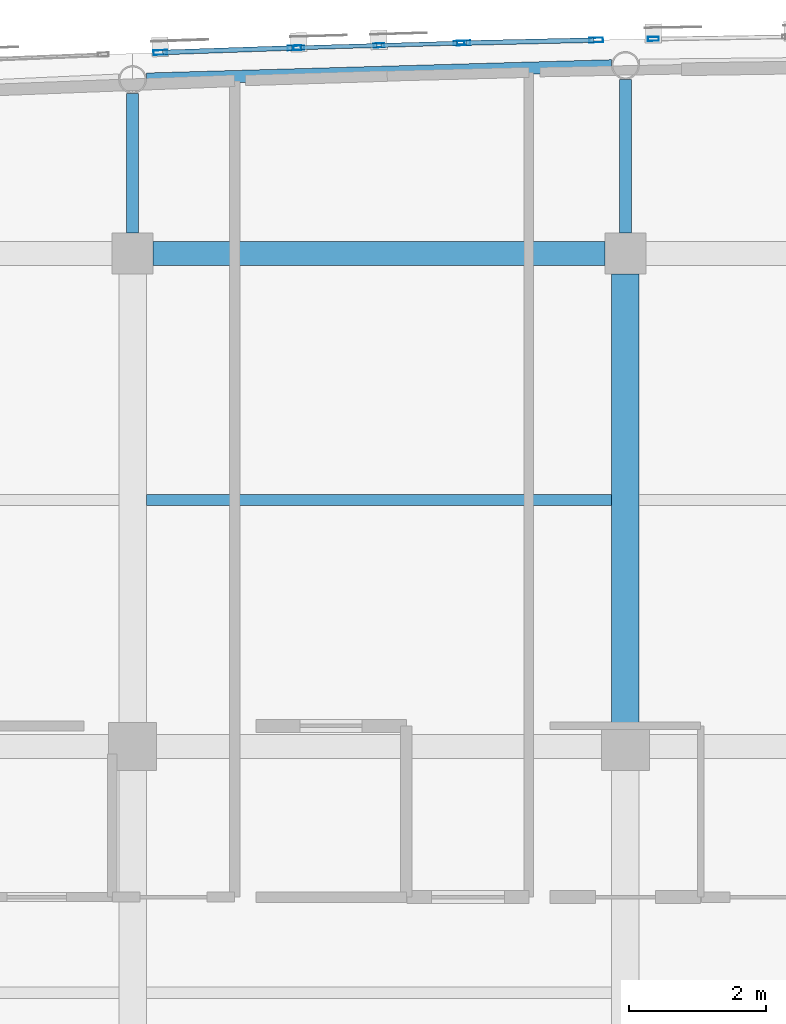
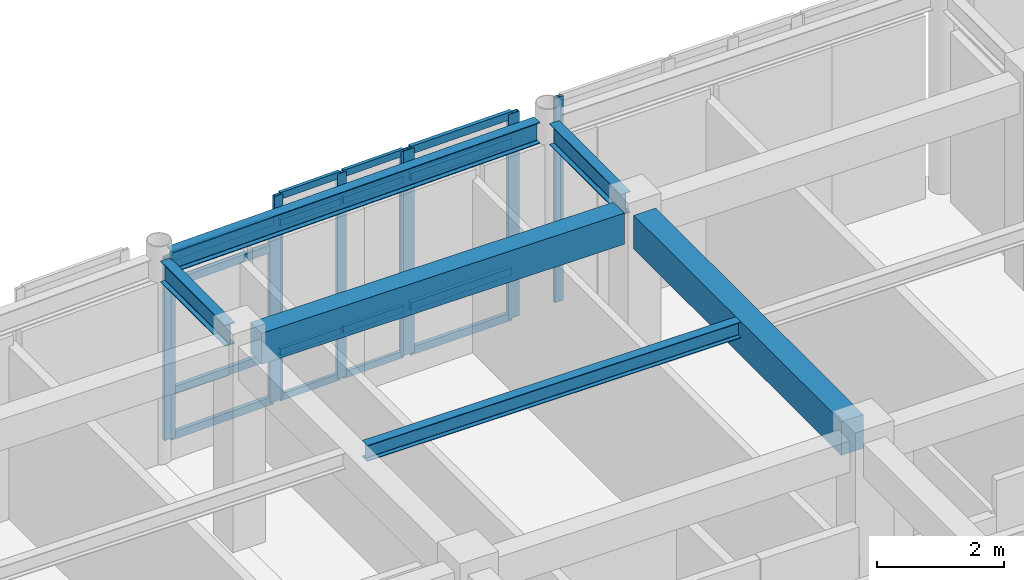
# One storey, part 45 of 113: 24 members, 6 beams, 4 elements without a shape of their own.
"""IFC4 building model written with IfcOpenShell, lengths in metres."""

import ifcopenshell
import ifcopenshell.guid

model = None  # the IFC model being written
_history = None  # IfcOwnerHistory: only IFC2X3 demands one
_inside = {}  # id of a spatial element -> (the spatial element, [elements in it])
_under = {}  # id of a project, library or spatial element -> (it, [spatial elements below it])
_declared = {}  # id of a project -> (the project, [libraries it declares])
_typed = {}  # id of a type object -> (the type object, [elements of that type])
_made_of = {}  # id of a material, layer set ... -> (it, [elements and type objects made of it])


def new_model(schema):
    """Start an empty IFC model of exactly this schema.

    Asked for "IFC4X3", IfcOpenShell would pick the latest addendum, in which some entities
    have other attributes; the version numbers below select the first issue.
    IFC2X3 requires an IfcOwnerHistory on every rooted entity: one is made here for all.
    """
    global model, _history
    if schema == "IFC4X3":
        model = ifcopenshell.file(schema_version=(4, 3, 0, 0))
    else:
        model = ifcopenshell.file(schema=schema)
    _inside.clear()
    _under.clear()
    _declared.clear()
    _typed.clear()
    _made_of.clear()
    _history = None
    if model.schema == "IFC2X3":
        org = make("IfcOrganization", Name="unknown")
        user = make(
            "IfcPersonAndOrganization",
            ThePerson=make("IfcPerson", FamilyName="unknown"),
            TheOrganization=org,
        )
        app = make(
            "IfcApplication",
            ApplicationDeveloper=org,
            Version="unknown",
            ApplicationFullName="unknown",
            ApplicationIdentifier="unknown",
        )
        _history = make(
            "IfcOwnerHistory",
            OwningUser=user,
            OwningApplication=app,
            ChangeAction="ADDED",
            CreationDate=0,
        )
    return model


def make(cls, **values):
    """One entity of the class cls with the attributes given. An attribute that is None is left unset."""
    return model.create_entity(
        cls, **{name: value for name, value in values.items() if value is not None}
    )


def rooted(cls, **values):
    """An entity with a GlobalId (a new one), such as an element, a storey or a relation."""
    return make(cls, GlobalId=ifcopenshell.guid.new(), OwnerHistory=_history, **values)


def si_unit(unit_type, name, prefix=None):
    """IfcSIUnit, for example si_unit("LENGTHUNIT", "METRE", prefix="MILLI")."""
    return make("IfcSIUnit", UnitType=unit_type, Prefix=prefix, Name=name)


def assignment(units):
    """IfcUnitAssignment: the units of a project."""
    return None if units is None else make("IfcUnitAssignment", Units=units)


def point(xyz):
    """IfcCartesianPoint."""
    return None if xyz is None else make("IfcCartesianPoint", Coordinates=xyz)


def direction(xyz):
    """IfcDirection."""
    return None if xyz is None else make("IfcDirection", DirectionRatios=xyz)


def frame(location, z_axis=None, x_axis=None):
    """IfcAxis2Placement3D, a coordinate frame: its origin and axes. An axis left out is left unset."""
    return make(
        "IfcAxis2Placement3D",
        Location=point(location),
        Axis=direction(z_axis),
        RefDirection=direction(x_axis),
    )


def frame_2d(location, x_axis=None):
    """IfcAxis2Placement2D, a coordinate frame in the plane: its origin and x axis."""
    return make(
        "IfcAxis2Placement2D", Location=point(location), RefDirection=direction(x_axis)
    )


def origin():
    """The frame at (0, 0, 0) with its axes left unset."""
    return frame((0.0, 0.0, 0.0))


def origin_2d():
    """The frame at (0, 0) in the plane with its x axis left unset."""
    return frame_2d((0.0, 0.0))


def place(relative_to, where):
    """IfcLocalPlacement: puts the frame where relative to a parent placement (None: the world)."""
    return make(
        "IfcLocalPlacement", PlacementRelTo=relative_to, RelativePlacement=where
    )


def context(
    kind, dimensions, precision=None, world=None, true_north=None, identifier=None
):
    """IfcGeometricRepresentationContext, for example the 3D "Model" context."""
    return make(
        "IfcGeometricRepresentationContext",
        ContextIdentifier=identifier,
        ContextType=kind,
        CoordinateSpaceDimension=dimensions,
        Precision=precision,
        WorldCoordinateSystem=world,
        TrueNorth=true_north,
    )


def subcontext(parent, identifier, kind, view, scale=None):
    """IfcGeometricRepresentationSubContext, for example "Body" below "Model"."""
    return make(
        "IfcGeometricRepresentationSubContext",
        ContextIdentifier=identifier,
        ContextType=kind,
        ParentContext=parent,
        TargetScale=scale,
        TargetView=view,
    )


def project(units=None, contexts=None):
    """IfcProject with its units and contexts."""
    return rooted(
        "IfcProject",
        Name="project",
        RepresentationContexts=contexts,
        UnitsInContext=assignment(units),
    )


def spatial(cls, under=None, at=None, **own):
    """A site, building, storey or space (cls), placed at a placement, below another one or the project."""
    s = rooted(cls, ObjectPlacement=at, **own)
    if under is not None:
        _under.setdefault(under.id(), (under, []))[1].append(s)
    return s


def profile(cls, at=None, kind="AREA", **sizes):
    """A parametric profile (cls). Its sizes go by their IFC names, for example OverallWidth=200.0."""
    return make(cls, ProfileType=kind, Position=at, **sizes)


def rectangle(**sizes):
    """IfcRectangleProfileDef."""
    return profile("IfcRectangleProfileDef", **sizes)


def hollow_rectangle(**sizes):
    """IfcRectangleHollowProfileDef."""
    return profile("IfcRectangleHollowProfileDef", **sizes)


def i_section(**sizes):
    """IfcIShapeProfileDef."""
    return profile("IfcIShapeProfileDef", **sizes)


def extrude(swept, where, along, depth):
    """IfcExtrudedAreaSolid: the profile swept, set in the frame where, extruded along a direction by depth."""
    return make(
        "IfcExtrudedAreaSolid",
        SweptArea=swept,
        Position=where,
        ExtrudedDirection=direction(along),
        Depth=depth,
    )


def shape(context_of_items, identifier, shape_type, items):
    """IfcShapeRepresentation: the items that make up one representation, for example the "Body"."""
    return make(
        "IfcShapeRepresentation",
        ContextOfItems=context_of_items,
        RepresentationIdentifier=identifier,
        RepresentationType=shape_type,
        Items=items,
    )


def material(Name=None, Category=None):
    """IfcMaterial."""
    return make("IfcMaterial", Name=Name, Category=Category)


def layer(
    of_material, thickness, ventilated=None, Name=None, Category=None, Priority=None
):
    """IfcMaterialLayer: one layer of a wall or slab, of a material (None: an air gap)."""
    return make(
        "IfcMaterialLayer",
        Material=of_material,
        LayerThickness=thickness,
        IsVentilated=ventilated,
        Name=Name,
        Category=Category,
        Priority=Priority,
    )


def layer_set(layers, Name=None):
    """IfcMaterialLayerSet."""
    return make("IfcMaterialLayerSet", MaterialLayers=layers, LayerSetName=Name)


def material_profile(
    of_material, cross_section, Name=None, Category=None, Priority=None
):
    """IfcMaterialProfile: a cross section and its material."""
    return make(
        "IfcMaterialProfile",
        Name=Name,
        Material=of_material,
        Profile=cross_section,
        Priority=Priority,
        Category=Category,
    )


def profile_set(profiles, Name=None, composite=None):
    """IfcMaterialProfileSet."""
    return make(
        "IfcMaterialProfileSet",
        Name=Name,
        MaterialProfiles=profiles,
        CompositeProfile=composite,
    )


def made_of(thing, what):
    """Note that an element or type object is made of a material, layer set ...; save() writes the relation."""
    if what is not None:
        _made_of.setdefault(what.id(), (what, []))[1].append(thing)
    return thing


def type_object(cls, material=None, **own):
    """A type object (cls), such as IfcWallType, which elements share."""
    return made_of(rooted(cls, **own), material)


def element(
    cls,
    number,
    at=None,
    inside=None,
    cuts=None,
    type_object=None,
    material=None,
    context=None,
    identifier="Body",
    shape_type=None,
    held_by="IfcProductDefinitionShape",
    body=None,
    shapes=None,
    **own,
):
    """One element of the class cls, such as IfcWall. Its Tag is "e" and its number.

    at: its placement. inside: the storey or other place that contains it. cuts: it is an
    opening in that element (IfcRelVoidsElement). A single representation is given by context,
    identifier, shape_type and body (its items); several are given by shapes. held_by: the class
    of the entity that holds the representations. save() writes the other relations.
    """
    e = rooted(cls, Tag="e%d" % number, ObjectPlacement=at, **own)
    if body is not None:
        shapes = [shape(context, identifier, shape_type, body)]
    if shapes is not None:
        e.Representation = make(held_by, Representations=shapes)
    if inside is not None:
        _inside.setdefault(inside.id(), (inside, []))[1].append(e)
    if cuts is not None:
        rooted(
            "IfcRelVoidsElement", RelatingBuildingElement=cuts, RelatedOpeningElement=e
        )
    if type_object is not None:
        _typed.setdefault(type_object.id(), (type_object, []))[1].append(e)
    return made_of(e, material)


def aggregate(whole, parts):
    """IfcRelAggregates: a whole, such as a stair, and the parts it consists of."""
    return rooted("IfcRelAggregates", RelatingObject=whole, RelatedObjects=parts)


def save(model, path):
    """Write the relations noted so far, then the file.

    IfcRelAggregates (storeys below a building ...), IfcRelContainedInSpatialStructure (elements
    in a storey), IfcRelDefinesByType, IfcRelAssociatesMaterial and IfcRelDeclares: one each for
    every whole, place, type object, material and project.
    """
    for whole, parts in _under.values():
        aggregate(whole, parts)
    for where, things in _inside.values():
        rooted(
            "IfcRelContainedInSpatialStructure",
            RelatedElements=things,
            RelatingStructure=where,
        )
    for kind, things in _typed.values():
        rooted("IfcRelDefinesByType", RelatedObjects=things, RelatingType=kind)
    for what, things in _made_of.values():
        rooted("IfcRelAssociatesMaterial", RelatedObjects=things, RelatingMaterial=what)
    for by, libraries in _declared.values():
        rooted("IfcRelDeclares", RelatingContext=by, RelatedDefinitions=libraries)
    model.write(path)


model = new_model("IFC4")

# Units and contexts
model_context = context("Model", 3, precision=1e-05, world=origin(), true_north=direction((0.0, 1.0)))
body_context = subcontext(model_context, "Body", "Model", "MODEL_VIEW")
ifc_project = project(units=[si_unit("LENGTHUNIT", "METRE"), si_unit("AREAUNIT", "SQUARE_METRE"), si_unit("VOLUMEUNIT", "CUBIC_METRE"), si_unit("PLANEANGLEUNIT", "RADIAN"), si_unit("MASSUNIT", "GRAM", prefix="KILO")], contexts=[model_context])

# Site, building, storey
site_placement = place(None, origin())
site = spatial("IfcSite", under=ifc_project, at=site_placement, CompositionType="ELEMENT")
building_placement = place(site_placement, origin())
building = spatial("IfcBuilding", under=site, at=building_placement, Name="Carrowvane Square Congress Hotel", CompositionType="ELEMENT")
storey_placement = place(building_placement, frame((0.0, 0.0, 15.0)))
storey = spatial("IfcBuildingStorey", under=building, at=storey_placement, Name="L03", CompositionType="ELEMENT", Elevation=15.0)

# Beams
ifc_material_1 = material(Name="Concrete C35/45", Category="concrete")
ifc_material_profile_1 = material_profile(ifc_material_1, rectangle(XDim=0.35009765625, YDim=0.60009765625, at=origin_2d()), Name="RC 350x600")
ifc_profile_set_1 = profile_set([ifc_material_profile_1], Name="Concrete C35/45")
beam_type_1 = type_object("IfcBeamType", Name="BM-RC-350x600", PredefinedType="BEAM", material=ifc_profile_set_1)
beam_1_placement = place(storey_placement, frame((83.89990234375, 113.39990234375, 3.639892578125), z_axis=(1.0, 0.0, 0.0), x_axis=(0.0, 1.0, 0.0)))
element("IfcBeam", 1, at=beam_1_placement, inside=storey, type_object=beam_type_1, Name="L04 girder R/11-12", PredefinedType="BEAM", context=body_context, shape_type="SweptSolid", body=[
    extrude(rectangle(XDim=0.35009765625, YDim=0.60009765625, at=origin_2d()), origin(), (0.0, 0.0, 1.0), 6.60009765625),
])
ifc_material_2 = material(Name="Concrete C35/45", Category="concrete")
ifc_material_profile_2 = material_profile(ifc_material_2, rectangle(XDim=0.39990234375, YDim=0.64990234375, at=origin_2d()), Name="RC 400x650")
ifc_profile_set_2 = profile_set([ifc_material_profile_2], Name="Concrete C35/45")
beam_type_2 = type_object("IfcBeamType", Name="BM-RC-400x650", PredefinedType="BEAM", material=ifc_profile_set_2)
beam_2_placement = place(storey_placement, frame((90.800048828125, 106.550048828125, 3.614990234375), z_axis=(0.0, 1.0, 0.0), x_axis=(-1.0, 0.0, 0.0)))
element("IfcBeam", 2, at=beam_2_placement, inside=storey, type_object=beam_type_2, Name="L04 girder 12/Q-R", PredefinedType="BEAM", context=body_context, shape_type="SweptSolid", body=[
    extrude(rectangle(XDim=0.39990234375, YDim=0.64990234375, at=origin_2d()), origin(), (0.0, 0.0, 1.0), 6.550048828125),
])
ifc_material_3 = material(Name="Steel S355", Category="steel")
ifc_material_profile_3 = material_profile(ifc_material_3, i_section(OverallWidth=0.165771484375, OverallDepth=0.306640625, WebThickness=0.006591796875, FlangeThickness=0.01171875, FilletRadius=0.0087890625, at=origin_2d()), Name="UKB 305x165x46")
ifc_profile_set_3 = profile_set([ifc_material_profile_3], Name="Steel S355")
beam_type_3 = type_object("IfcBeamType", Name="BM-ST-UKB305", PredefinedType="JOIST", material=ifc_profile_set_3)
beam_3_placement = place(storey_placement, frame((83.800048828125, 109.800048828125, 3.78662109375), z_axis=(1.0, 0.0, 0.0), x_axis=(0.0, 1.0, 0.0)))
element("IfcBeam", 3, at=beam_3_placement, inside=storey, type_object=beam_type_3, Name="L04 secondary joist 11-12", PredefinedType="JOIST", context=body_context, shape_type="SweptSolid", body=[
    extrude(i_section(OverallWidth=0.165771484375, OverallDepth=0.306640625, WebThickness=0.006591796875, FlangeThickness=0.01171875, FilletRadius=0.0087890625, at=origin_2d()), origin(), (0.0, 0.0, 1.0), 6.800048828125),
])
ifc_material_4 = material(Name="Steel S355", Category="steel")
ifc_material_profile_4 = material_profile(ifc_material_4, i_section(OverallWidth=0.1787109375, OverallDepth=0.409423828125, WebThickness=0.0087890625, FlangeThickness=0.014404296875, FilletRadius=0.01025390625, at=origin_2d()), Name="UKB 406x178x67")
ifc_profile_set_4 = profile_set([ifc_material_profile_4], Name="Steel S355")
beam_type_4 = type_object("IfcBeamType", Name="BM-ST-UKB406", PredefinedType="BEAM", material=ifc_profile_set_4)
beam_4_placement = place(storey_placement, frame((83.80322265625, 115.94970703125, 3.7353515625), z_axis=(0.999591118992, 0.02859361522, 0.0), x_axis=(-0.02859361522, 0.999591118992, 0.0)))
element("IfcBeam", 4, at=beam_4_placement, inside=storey, type_object=beam_type_4, Name="L04 curved north spandrel", PredefinedType="BEAM", context=body_context, shape_type="SweptSolid", body=[
    extrude(i_section(OverallWidth=0.1787109375, OverallDepth=0.409423828125, WebThickness=0.0087890625, FlangeThickness=0.014404296875, FilletRadius=0.01025390625, at=origin_2d()), origin(), (0.0, 0.0, 1.0), 6.79638671875),
])
beam_5_placement = place(storey_placement, frame((83.60009765625, 113.699951171875, 3.7353515625), z_axis=(0.0, 1.0, 0.0), x_axis=(-1.0, 0.0, 0.0)))
element("IfcBeam", 5, at=beam_5_placement, inside=storey, type_object=beam_type_4, Name="L04 radial north beam 11", PredefinedType="BEAM", context=body_context, shape_type="SweptSolid", body=[
    extrude(i_section(OverallWidth=0.1787109375, OverallDepth=0.409423828125, WebThickness=0.0087890625, FlangeThickness=0.014404296875, FilletRadius=0.01025390625, at=origin_2d()), origin(), (0.0, 0.0, 1.0), 2.040771484375),
])
beam_6_placement = place(storey_placement, frame((90.800048828125, 113.699951171875, 3.7353515625), z_axis=(0.0, 1.0, 0.0), x_axis=(-1.0, 0.0, 0.0)))
element("IfcBeam", 6, at=beam_6_placement, inside=storey, type_object=beam_type_4, Name="L04 radial north beam 12", PredefinedType="BEAM", context=body_context, shape_type="SweptSolid", body=[
    extrude(i_section(OverallWidth=0.1787109375, OverallDepth=0.409423828125, WebThickness=0.0087890625, FlangeThickness=0.014404296875, FilletRadius=0.01025390625, at=origin_2d()), origin(), (0.0, 0.0, 1.0), 2.24658203125),
])

# Curtain wall, members
ifc_material_5 = material(Name="Anodised aluminium", Category="aluminium")
ifc_layer_1 = layer(ifc_material_5, 0.2099609375)
ifc_layer_set_1 = layer_set([ifc_layer_1], Name="Anodised aluminium")
curtain_wall_type_1 = type_object("IfcCurtainWallType", Name="CW-SYS-5", PredefinedType="NOTDEFINED", material=ifc_layer_set_1)
curtain_wall_1_placement = place(storey_placement, origin())
curtain_wall_1 = element("IfcCurtainWall", 7, at=curtain_wall_1_placement, inside=storey, type_object=curtain_wall_type_1, Name="L03 unitised curtain wall 212", PredefinedType="NOTDEFINED")
ifc_material_6 = material(Name="Anodised aluminium", Category="aluminium")
ifc_material_profile_5 = material_profile(ifc_material_6, hollow_rectangle(XDim=0.06005859375, YDim=0.159912109375, WallThickness=0.00390625, at=origin_2d()), Name="CW-ML 60x160x4")
ifc_profile_set_5 = profile_set([ifc_material_profile_5], Name="Anodised aluminium")
member_type_1 = type_object("IfcMemberType", Name="CW-MUL-1", PredefinedType="MULLION", material=ifc_profile_set_5)
member_1_placement = place(storey_placement, frame((86.030029296875, 116.40771484375, 0.0), z_axis=(0.0, 0.0, 1.0), x_axis=(-0.028638010501, 0.999589848065, 0.0)))
member_1 = element("IfcMember", 8, at=member_1_placement, type_object=member_type_1, Name="CW-5 mullion 1", PredefinedType="MULLION", context=body_context, shape_type="SweptSolid", body=[
    extrude(hollow_rectangle(XDim=0.06005859375, YDim=0.159912109375, WallThickness=0.00390625, at=origin_2d()), origin(), (0.0, 0.0, 1.0), 3.93994140625),
])
member_2_placement = place(storey_placement, frame((87.199951171875, 116.44140625, 0.0), z_axis=(0.0, 0.0, 1.0), x_axis=(-0.028638010501, 0.999589848065, 0.0)))
member_2 = element("IfcMember", 9, at=member_2_placement, type_object=member_type_1, Name="CW-5 mullion 2", PredefinedType="MULLION", context=body_context, shape_type="SweptSolid", body=[
    extrude(hollow_rectangle(XDim=0.06005859375, YDim=0.159912109375, WallThickness=0.00390625, at=origin_2d()), origin(), (0.0, 0.0, 1.0), 3.93994140625),
])
member_3_placement = place(storey_placement, frame((88.3701171875, 116.474853515625, 0.0), z_axis=(0.0, 0.0, 1.0), x_axis=(-0.028638010501, 0.999589848065, 0.0)))
member_3 = element("IfcMember", 10, at=member_3_placement, type_object=member_type_1, Name="CW-5 mullion 3", PredefinedType="MULLION", context=body_context, shape_type="SweptSolid", body=[
    extrude(hollow_rectangle(XDim=0.06005859375, YDim=0.159912109375, WallThickness=0.00390625, at=origin_2d()), origin(), (0.0, 0.0, 1.0), 3.93994140625),
])

# Curtain wall, member
ifc_material_7 = material(Name="Anodised aluminium", Category="aluminium")
ifc_layer_2 = layer(ifc_material_7, 0.23388671875)
ifc_layer_set_2 = layer_set([ifc_layer_2], Name="Anodised aluminium")
curtain_wall_type_2 = type_object("IfcCurtainWallType", Name="CW-SYS-7", PredefinedType="NOTDEFINED", material=ifc_layer_set_2)
curtain_wall_2_placement = place(storey_placement, origin())
curtain_wall_2 = element("IfcCurtainWall", 11, at=curtain_wall_2_placement, inside=storey, type_object=curtain_wall_type_2, Name="L03 unitised curtain wall 214", PredefinedType="NOTDEFINED")
member_4_placement = place(storey_placement, frame((91.20751953125, 116.536376953125, 0.0), z_axis=(0.0, 0.0, 1.0), x_axis=(-0.016215981364, 0.99986851233, 0.0)))
member_4 = element("IfcMember", 12, at=member_4_placement, type_object=member_type_1, Name="CW-7 mullion 1", PredefinedType="MULLION", context=body_context, shape_type="SweptSolid", body=[
    extrude(hollow_rectangle(XDim=0.06005859375, YDim=0.159912109375, WallThickness=0.00390625, at=origin_2d()), origin(), (0.0, 0.0, 1.0), 3.93994140625),
])
aggregate(curtain_wall_2, [member_4])

# Curtain wall, members
ifc_material_8 = material(Name="Anodised aluminium", Category="aluminium")
ifc_layer_3 = layer(ifc_material_8, 0.197998046875)
ifc_layer_set_3 = layer_set([ifc_layer_3], Name="Anodised aluminium")
curtain_wall_type_3 = type_object("IfcCurtainWallType", Name="CW-SYS-4", PredefinedType="NOTDEFINED", material=ifc_layer_set_3)
curtain_wall_3_placement = place(storey_placement, origin())
curtain_wall_3 = element("IfcCurtainWall", 13, at=curtain_wall_3_placement, inside=storey, type_object=curtain_wall_type_3, Name="L03 unitised curtain wall 211", PredefinedType="NOTDEFINED")
ifc_material_9 = material(Name="Anodised aluminium", Category="aluminium")
ifc_material_profile_6 = material_profile(ifc_material_9, hollow_rectangle(XDim=0.070068359375, YDim=0.199951171875, WallThickness=0.0048828125, at=origin_2d()), Name="CW-ML 70x200x5")
ifc_profile_set_6 = profile_set([ifc_material_profile_6], Name="Anodised aluminium")
member_type_2 = type_object("IfcMemberType", Name="CW-MUL-2", PredefinedType="MULLION", material=ifc_profile_set_6)
member_5_placement = place(storey_placement, frame((84.005615234375, 116.338134765625, 0.0), z_axis=(0.0, 0.0, 1.0), x_axis=(-0.034526729036, 0.999403774749, 0.0)))
member_5 = element("IfcMember", 14, at=member_5_placement, type_object=member_type_2, Name="CW-4 mullion 1", PredefinedType="MULLION", context=body_context, shape_type="SweptSolid", body=[
    extrude(hollow_rectangle(XDim=0.070068359375, YDim=0.199951171875, WallThickness=0.0048828125, at=origin_2d()), origin(), (0.0, 0.0, 1.0), 3.515625),
])
member_6_placement = place(storey_placement, frame((85.965087890625, 116.40576171875, 0.0), z_axis=(0.0, 0.0, 1.0), x_axis=(-0.034526729036, 0.999403774749, 0.0)))
member_6 = element("IfcMember", 15, at=member_6_placement, type_object=member_type_2, Name="CW-4 mullion 2", PredefinedType="MULLION", context=body_context, shape_type="SweptSolid", body=[
    extrude(hollow_rectangle(XDim=0.070068359375, YDim=0.199951171875, WallThickness=0.0048828125, at=origin_2d()), origin(), (0.0, 0.0, 1.0), 3.515625),
])

ifc_material_10 = material(Name="Anodised aluminium", Category="aluminium")
ifc_layer_4 = layer(ifc_material_10, 0.221923828125)
ifc_layer_set_4 = layer_set([ifc_layer_4], Name="Anodised aluminium")
curtain_wall_type_4 = type_object("IfcCurtainWallType", Name="CW-SYS-6", PredefinedType="NOTDEFINED", material=ifc_layer_set_4)
curtain_wall_4_placement = place(storey_placement, origin())
curtain_wall_4 = element("IfcCurtainWall", 16, at=curtain_wall_4_placement, inside=storey, type_object=curtain_wall_type_4, Name="L03 unitised curtain wall 213", PredefinedType="NOTDEFINED")
member_7_placement = place(storey_placement, frame((88.43505859375, 116.4765625, 0.0), z_axis=(0.0, 0.0, 1.0), x_axis=(-0.022517686606, 0.99974644475, 0.0)))
member_7 = element("IfcMember", 17, at=member_7_placement, type_object=member_type_2, Name="CW-6 mullion 1", PredefinedType="MULLION", context=body_context, shape_type="SweptSolid", body=[
    extrude(hollow_rectangle(XDim=0.070068359375, YDim=0.199951171875, WallThickness=0.0048828125, at=origin_2d()), origin(), (0.0, 0.0, 1.0), 3.93994140625),
])
member_8_placement = place(storey_placement, frame((90.372802734375, 116.52001953125, 0.0), z_axis=(0.0, 0.0, 1.0), x_axis=(-0.022517686606, 0.99974644475, 0.0)))
member_8 = element("IfcMember", 18, at=member_8_placement, type_object=member_type_2, Name="CW-6 mullion 2", PredefinedType="MULLION", context=body_context, shape_type="SweptSolid", body=[
    extrude(hollow_rectangle(XDim=0.070068359375, YDim=0.199951171875, WallThickness=0.0048828125, at=origin_2d()), origin(), (0.0, 0.0, 1.0), 3.93994140625),
])

# Member
ifc_material_11 = material(Name="Anodised aluminium", Category="aluminium")
ifc_material_profile_7 = material_profile(ifc_material_11, hollow_rectangle(XDim=0.06005859375, YDim=0.1298828125, WallThickness=0.00390625, at=origin_2d()), Name="CW-TR 60x130x4")
ifc_profile_set_7 = profile_set([ifc_material_profile_7], Name="Anodised aluminium")
member_type_3 = type_object("IfcMemberType", Name="CW-TRN-1", PredefinedType="USERDEFINED", material=ifc_profile_set_7)
member_9_placement = place(storey_placement, frame((86.06005859375, 116.40869140625, 0.030029296875), z_axis=(0.999591368743, 0.02858488296, 0.0), x_axis=(-0.02858488296, 0.999591368743, 0.0)))
member_9 = element("IfcMember", 19, at=member_9_placement, type_object=member_type_3, Name="CW-5 transom 1.1", ObjectType="TRANSOM", PredefinedType="USERDEFINED", context=body_context, shape_type="SweptSolid", body=[
    extrude(hollow_rectangle(XDim=0.06005859375, YDim=0.1298828125, WallThickness=0.00390625, at=origin_2d()), origin(), (0.0, 0.0, 1.0), 1.1103515625),
])

member_10_placement = place(storey_placement, frame((86.06005859375, 116.40869140625, 0.89990234375), z_axis=(0.999591368743, 0.02858488296, 0.0), x_axis=(-0.02858488296, 0.999591368743, 0.0)))
member_10 = element("IfcMember", 20, at=member_10_placement, type_object=member_type_3, Name="CW-5 transom 1.2", ObjectType="TRANSOM", PredefinedType="USERDEFINED", context=body_context, shape_type="SweptSolid", body=[
    extrude(hollow_rectangle(XDim=0.06005859375, YDim=0.1298828125, WallThickness=0.00390625, at=origin_2d()), origin(), (0.0, 0.0, 1.0), 1.1103515625),
])

member_11_placement = place(storey_placement, frame((86.06005859375, 116.40869140625, 3.389892578125), z_axis=(0.999591368743, 0.02858488296, 0.0), x_axis=(-0.02858488296, 0.999591368743, 0.0)))
member_11 = element("IfcMember", 21, at=member_11_placement, type_object=member_type_3, Name="CW-5 transom 1.3", ObjectType="TRANSOM", PredefinedType="USERDEFINED", context=body_context, shape_type="SweptSolid", body=[
    extrude(hollow_rectangle(XDim=0.06005859375, YDim=0.1298828125, WallThickness=0.00390625, at=origin_2d()), origin(), (0.0, 0.0, 1.0), 1.1103515625),
])

member_12_placement = place(storey_placement, frame((86.06005859375, 116.40869140625, 3.909912109375), z_axis=(0.999591368743, 0.02858488296, 0.0), x_axis=(-0.02858488296, 0.999591368743, 0.0)))
member_12 = element("IfcMember", 22, at=member_12_placement, type_object=member_type_3, Name="CW-5 transom 1.4", ObjectType="TRANSOM", PredefinedType="USERDEFINED", context=body_context, shape_type="SweptSolid", body=[
    extrude(hollow_rectangle(XDim=0.06005859375, YDim=0.1298828125, WallThickness=0.00390625, at=origin_2d()), origin(), (0.0, 0.0, 1.0), 1.1103515625),
])

member_13_placement = place(storey_placement, frame((87.22998046875, 116.442138671875, 0.030029296875), z_axis=(0.99959154835, 0.028578601558, 0.0), x_axis=(-0.028578601558, 0.99959154835, 0.0)))
member_13 = element("IfcMember", 23, at=member_13_placement, type_object=member_type_3, Name="CW-5 transom 2.1", ObjectType="TRANSOM", PredefinedType="USERDEFINED", context=body_context, shape_type="SweptSolid", body=[
    extrude(hollow_rectangle(XDim=0.06005859375, YDim=0.1298828125, WallThickness=0.00390625, at=origin_2d()), origin(), (0.0, 0.0, 1.0), 1.110595703125),
])

member_14_placement = place(storey_placement, frame((87.22998046875, 116.442138671875, 0.89990234375), z_axis=(0.99959154835, 0.028578601558, 0.0), x_axis=(-0.028578601558, 0.99959154835, 0.0)))
member_14 = element("IfcMember", 24, at=member_14_placement, type_object=member_type_3, Name="CW-5 transom 2.2", ObjectType="TRANSOM", PredefinedType="USERDEFINED", context=body_context, shape_type="SweptSolid", body=[
    extrude(hollow_rectangle(XDim=0.06005859375, YDim=0.1298828125, WallThickness=0.00390625, at=origin_2d()), origin(), (0.0, 0.0, 1.0), 1.110595703125),
])

member_15_placement = place(storey_placement, frame((87.22998046875, 116.442138671875, 3.389892578125), z_axis=(0.99959154835, 0.028578601558, 0.0), x_axis=(-0.028578601558, 0.99959154835, 0.0)))
member_15 = element("IfcMember", 25, at=member_15_placement, type_object=member_type_3, Name="CW-5 transom 2.3", ObjectType="TRANSOM", PredefinedType="USERDEFINED", context=body_context, shape_type="SweptSolid", body=[
    extrude(hollow_rectangle(XDim=0.06005859375, YDim=0.1298828125, WallThickness=0.00390625, at=origin_2d()), origin(), (0.0, 0.0, 1.0), 1.110595703125),
])

member_16_placement = place(storey_placement, frame((87.22998046875, 116.442138671875, 3.909912109375), z_axis=(0.99959154835, 0.028578601558, 0.0), x_axis=(-0.028578601558, 0.99959154835, 0.0)))
member_16 = element("IfcMember", 26, at=member_16_placement, type_object=member_type_3, Name="CW-5 transom 2.4", ObjectType="TRANSOM", PredefinedType="USERDEFINED", context=body_context, shape_type="SweptSolid", body=[
    extrude(hollow_rectangle(XDim=0.06005859375, YDim=0.1298828125, WallThickness=0.00390625, at=origin_2d()), origin(), (0.0, 0.0, 1.0), 1.110595703125),
])

aggregate(curtain_wall_1, [member_1, member_2, member_3, member_9, member_10, member_11, member_12, member_13, member_14, member_15, member_16])

ifc_material_12 = material(Name="Anodised aluminium", Category="aluminium")
ifc_material_profile_8 = material_profile(ifc_material_12, hollow_rectangle(XDim=0.070068359375, YDim=0.14990234375, WallThickness=0.0048828125, at=origin_2d()), Name="CW-TR 70x150x5")
ifc_profile_set_8 = profile_set([ifc_material_profile_8], Name="Anodised aluminium")
member_type_4 = type_object("IfcMemberType", Name="CW-TRN-2", PredefinedType="USERDEFINED", material=ifc_profile_set_8)
member_17_placement = place(storey_placement, frame((84.04052734375, 116.33935546875, 0.034912109375), z_axis=(0.999405385709, 0.034480066932, 0.0), x_axis=(-0.034480066932, 0.999405385709, 0.0)))
member_17 = element("IfcMember", 27, at=member_17_placement, type_object=member_type_4, Name="CW-4 transom 1.1", ObjectType="TRANSOM", PredefinedType="USERDEFINED", context=body_context, shape_type="SweptSolid", body=[
    extrude(hollow_rectangle(XDim=0.070068359375, YDim=0.14990234375, WallThickness=0.0048828125, at=origin_2d()), origin(), (0.0, 0.0, 1.0), 1.890625),
])

member_18_placement = place(storey_placement, frame((84.04052734375, 116.33935546875, 0.89990234375), z_axis=(0.999405385709, 0.034480066932, 0.0), x_axis=(-0.034480066932, 0.999405385709, 0.0)))
member_18 = element("IfcMember", 28, at=member_18_placement, type_object=member_type_4, Name="CW-4 transom 1.2", ObjectType="TRANSOM", PredefinedType="USERDEFINED", context=body_context, shape_type="SweptSolid", body=[
    extrude(hollow_rectangle(XDim=0.070068359375, YDim=0.14990234375, WallThickness=0.0048828125, at=origin_2d()), origin(), (0.0, 0.0, 1.0), 1.890625),
])

member_19_placement = place(storey_placement, frame((84.04052734375, 116.33935546875, 2.965576171875), z_axis=(0.999405385709, 0.034480066932, 0.0), x_axis=(-0.034480066932, 0.999405385709, 0.0)))
member_19 = element("IfcMember", 29, at=member_19_placement, type_object=member_type_4, Name="CW-4 transom 1.3", ObjectType="TRANSOM", PredefinedType="USERDEFINED", context=body_context, shape_type="SweptSolid", body=[
    extrude(hollow_rectangle(XDim=0.070068359375, YDim=0.14990234375, WallThickness=0.0048828125, at=origin_2d()), origin(), (0.0, 0.0, 1.0), 1.890625),
])

member_20_placement = place(storey_placement, frame((84.04052734375, 116.33935546875, 3.480712890625), z_axis=(0.999405385709, 0.034480066932, 0.0), x_axis=(-0.034480066932, 0.999405385709, 0.0)))
member_20 = element("IfcMember", 30, at=member_20_placement, type_object=member_type_4, Name="CW-4 transom 1.4", ObjectType="TRANSOM", PredefinedType="USERDEFINED", context=body_context, shape_type="SweptSolid", body=[
    extrude(hollow_rectangle(XDim=0.070068359375, YDim=0.14990234375, WallThickness=0.0048828125, at=origin_2d()), origin(), (0.0, 0.0, 1.0), 1.890625),
])

aggregate(curtain_wall_3, [member_5, member_6, member_17, member_18, member_19, member_20])

member_21_placement = place(storey_placement, frame((88.469970703125, 116.477294921875, 0.034912109375), z_axis=(0.999747338303, 0.022477979371, 0.0), x_axis=(-0.022477979371, 0.999747338303, 0.0)))
member_21 = element("IfcMember", 31, at=member_21_placement, type_object=member_type_4, Name="CW-6 transom 1.1", ObjectType="TRANSOM", PredefinedType="USERDEFINED", context=body_context, shape_type="SweptSolid", body=[
    extrude(hollow_rectangle(XDim=0.070068359375, YDim=0.14990234375, WallThickness=0.0048828125, at=origin_2d()), origin(), (0.0, 0.0, 1.0), 1.8681640625),
])

member_22_placement = place(storey_placement, frame((88.469970703125, 116.477294921875, 0.89990234375), z_axis=(0.999747338303, 0.022477979371, 0.0), x_axis=(-0.022477979371, 0.999747338303, 0.0)))
member_22 = element("IfcMember", 32, at=member_22_placement, type_object=member_type_4, Name="CW-6 transom 1.2", ObjectType="TRANSOM", PredefinedType="USERDEFINED", context=body_context, shape_type="SweptSolid", body=[
    extrude(hollow_rectangle(XDim=0.070068359375, YDim=0.14990234375, WallThickness=0.0048828125, at=origin_2d()), origin(), (0.0, 0.0, 1.0), 1.8681640625),
])

member_23_placement = place(storey_placement, frame((88.469970703125, 116.477294921875, 3.389892578125), z_axis=(0.999747338303, 0.022477979371, 0.0), x_axis=(-0.022477979371, 0.999747338303, 0.0)))
member_23 = element("IfcMember", 33, at=member_23_placement, type_object=member_type_4, Name="CW-6 transom 1.3", ObjectType="TRANSOM", PredefinedType="USERDEFINED", context=body_context, shape_type="SweptSolid", body=[
    extrude(hollow_rectangle(XDim=0.070068359375, YDim=0.14990234375, WallThickness=0.0048828125, at=origin_2d()), origin(), (0.0, 0.0, 1.0), 1.8681640625),
])

member_24_placement = place(storey_placement, frame((88.469970703125, 116.477294921875, 3.905029296875), z_axis=(0.999747338303, 0.022477979371, 0.0), x_axis=(-0.022477979371, 0.999747338303, 0.0)))
member_24 = element("IfcMember", 34, at=member_24_placement, type_object=member_type_4, Name="CW-6 transom 1.4", ObjectType="TRANSOM", PredefinedType="USERDEFINED", context=body_context, shape_type="SweptSolid", body=[
    extrude(hollow_rectangle(XDim=0.070068359375, YDim=0.14990234375, WallThickness=0.0048828125, at=origin_2d()), origin(), (0.0, 0.0, 1.0), 1.8681640625),
])

aggregate(curtain_wall_4, [member_7, member_8, member_21, member_22, member_23, member_24])

save(model, "model.ifc")
